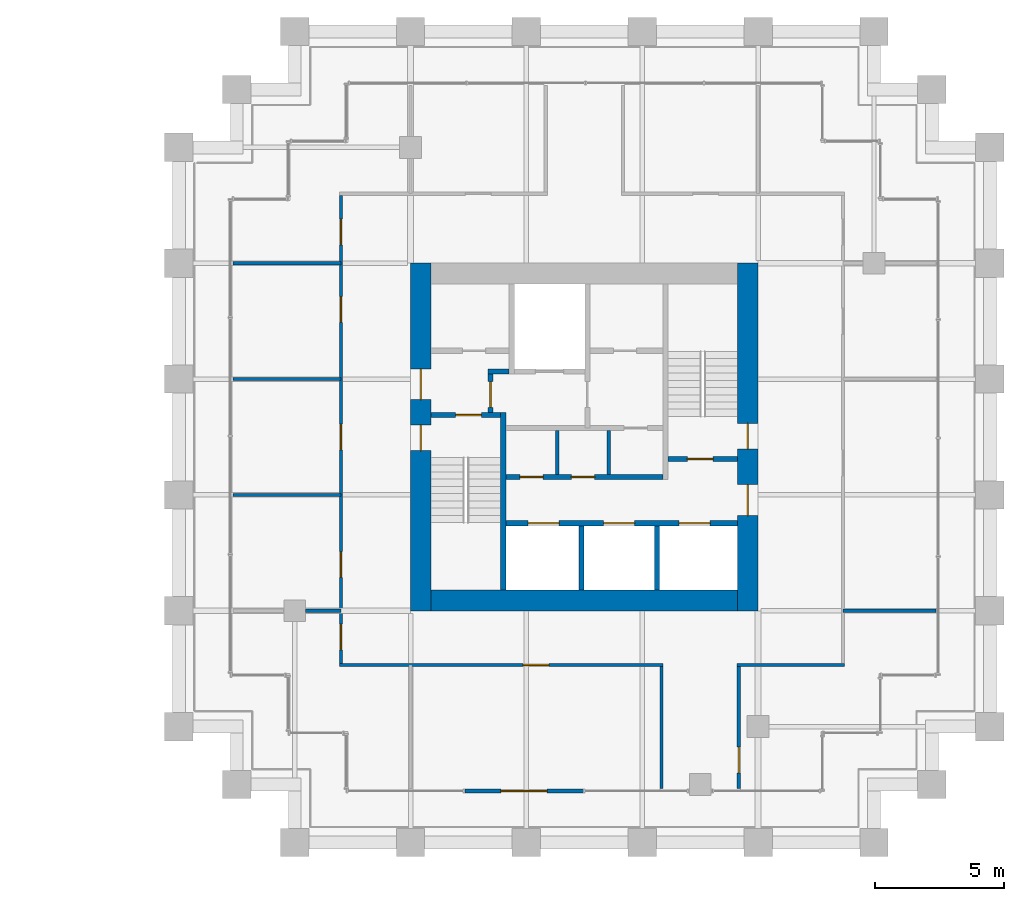
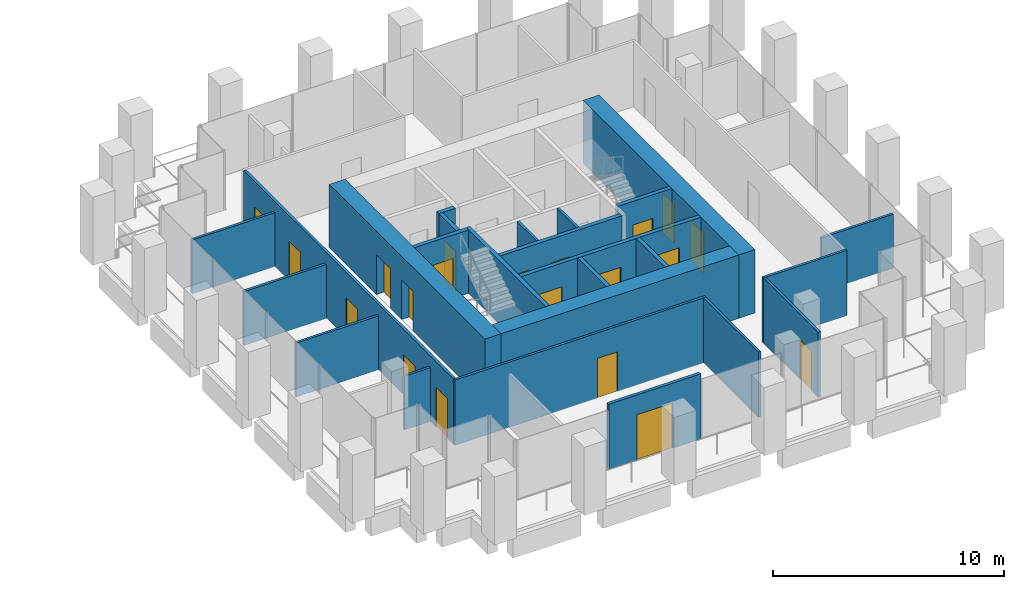
# One storey, part 52 of 56: 25 walls, 20 doors, 20 openings.
"""IFC4 building model written with IfcOpenShell, lengths in metres."""

from ifc_helpers import new_model, si_unit, direction, frame, frame_2d, origin, place, context, subcontext, project, spatial, rectangle, extrude, material, layer, layer_set, type_object, element, fill, save


model = new_model("IFC4")

# Units and contexts
model_context = context("Model", 3, precision=1e-05, world=origin(), true_north=direction((0.0, 1.0)))
body_context = subcontext(model_context, "Body", "Model", "MODEL_VIEW")
ifc_project = project(units=[si_unit("LENGTHUNIT", "METRE"), si_unit("AREAUNIT", "SQUARE_METRE"), si_unit("VOLUMEUNIT", "CUBIC_METRE"), si_unit("PLANEANGLEUNIT", "RADIAN"), si_unit("MASSUNIT", "GRAM", prefix="KILO")], contexts=[model_context])

# Site, building, storey
site_placement = place(None, origin())
site = spatial("IfcSite", under=ifc_project, at=site_placement, CompositionType="ELEMENT")
building_placement = place(site_placement, origin())
building = spatial("IfcBuilding", under=site, at=building_placement, Name="Altepetl Exchange Towers", CompositionType="ELEMENT")
storey_placement = place(building_placement, frame((0.0, 0.0, 54.60009765625)))
storey = spatial("IfcBuildingStorey", under=building, at=storey_placement, Name="L12", CompositionType="ELEMENT", Elevation=54.60009765625)

# Wall, openings, doors
ifc_material_1 = material(Name="Concrete C70/85", Category="concrete")
ifc_layer_1 = layer(ifc_material_1, 0.800048828125)
ifc_layer_set_1 = layer_set([ifc_layer_1], Name="Concrete C70/85")
wall_type_1 = type_object("IfcWallType", Name="Core wall 800 reinforced concrete", PredefinedType="SHEAR", material=ifc_layer_set_1)
wall_1_placement = place(storey_placement, frame((116.60009765625, 36.0, 0.0), z_axis=(0.0, 0.0, 1.0), x_axis=(0.0, 1.0, 0.0)))
wall_1 = element("IfcWall", 1, at=wall_1_placement, inside=storey, type_object=wall_type_1, Name="wall:B:L12:K-coreE", PredefinedType="SHEAR", context=body_context, shape_type="SweptSolid", body=[
    extrude(rectangle(XDim=13.5, YDim=0.800048828125, at=frame_2d((6.75, 0.0))), origin(), (0.0, 0.0, 1.0), 3.349853515625),
])
opening_1_placement = place(wall_1_placement, frame((3.699951171875, 0.0, 0.0)))
opening_1 = element("IfcOpeningElement", 2, at=opening_1_placement, cuts=wall_1, Name="Opening L12.B61", PredefinedType="OPENING", context=body_context, shape_type="SweptSolid", body=[
    extrude(rectangle(XDim=1.199951171875, YDim=2.10009765625, at=frame_2d((0.60009765625, 1.050048828125))), frame((0.0, 0.41015625, 0.0), z_axis=(0.0, -1.0, 0.0), x_axis=(1.0, 0.0, 0.0)), (0.0, 0.0, 1.0), 0.820068359375),
])
opening_2_placement = place(wall_1_placement, frame((6.27490234375, 0.0, 0.0)))
opening_2 = element("IfcOpeningElement", 3, at=opening_2_placement, cuts=wall_1, Name="Opening L12.B65", PredefinedType="OPENING", context=body_context, shape_type="SweptSolid", body=[
    extrude(rectangle(XDim=1.0, YDim=2.10009765625, at=frame_2d((0.5, 1.050048828125))), frame((0.0, 0.41015625, 0.0), z_axis=(0.0, -1.0, 0.0), x_axis=(1.0, 0.0, 0.0)), (0.0, 0.0, 1.0), 0.820068359375),
])
ifc_material_2 = material(Name="Steel and timber fire door", Category="steel")
door_type_1 = type_object("IfcDoorType", Name="Fire door 1000 x 2100 stair and lobby", OperationType="SINGLE_SWING_LEFT", PredefinedType="DOOR", material=ifc_material_2)
door_1_placement = place(opening_2_placement, origin())
door_1 = element("IfcDoor", 4, at=door_1_placement, inside=storey, type_object=door_type_1, Name="door:B:L12:K-dS2x", OperationType="SINGLE_SWING_LEFT", OverallHeight=2.10009765625, OverallWidth=1.0, PredefinedType="DOOR", context=body_context, shape_type="SweptSolid", body=[
    extrude(rectangle(XDim=1.0, YDim=2.10009765625, at=frame_2d((0.5, 1.050048828125))), frame((0.0, 0.02490234375, 0.0), z_axis=(0.0, -1.0, 0.0), x_axis=(1.0, 0.0, 0.0)), (0.0, 0.0, 1.0), 0.050048828125),
])
fill(opening_2, door_1)
door_type_2 = type_object("IfcDoorType", Name="Fire door 1200 x 2100 lobby entry", OperationType="SINGLE_SWING_LEFT", PredefinedType="DOOR", material=ifc_material_2)
door_2_placement = place(opening_1_placement, origin())
door_2 = element("IfcDoor", 5, at=door_2_placement, inside=storey, type_object=door_type_2, Name="door:B:L12:K-dLSE", OperationType="SINGLE_SWING_RIGHT", OverallHeight=2.10009765625, OverallWidth=1.199951171875, PredefinedType="DOOR", context=body_context, shape_type="SweptSolid", body=[
    extrude(rectangle(XDim=1.199951171875, YDim=2.10009765625, at=frame_2d((0.60009765625, 1.050048828125))), frame((0.0, 0.02490234375, 0.0), z_axis=(0.0, -1.0, 0.0), x_axis=(1.0, 0.0, 0.0)), (0.0, 0.0, 1.0), 0.050048828125),
])
fill(opening_1, door_2)

# Wall
wall_2_placement = place(storey_placement, frame((104.300048828125, 36.39990234375, 0.0)))
element("IfcWall", 6, at=wall_2_placement, inside=storey, type_object=wall_type_1, Name="wall:B:L12:K-coreS", PredefinedType="SHEAR", context=body_context, shape_type="SweptSolid", body=[
    extrude(rectangle(XDim=11.89990234375, YDim=0.800048828125, at=frame_2d((5.949951171875, 0.0))), origin(), (0.0, 0.0, 1.0), 3.349853515625),
])

# Wall, openings, doors
wall_3_placement = place(storey_placement, frame((103.89990234375, 36.0, 0.0), z_axis=(0.0, 0.0, 1.0), x_axis=(0.0, 1.0, 0.0)))
wall_3 = element("IfcWall", 7, at=wall_3_placement, inside=storey, type_object=wall_type_1, Name="wall:B:L12:K-coreW", PredefinedType="SHEAR", context=body_context, shape_type="SweptSolid", body=[
    extrude(rectangle(XDim=13.5, YDim=0.800048828125, at=frame_2d((6.75, 0.0))), origin(), (0.0, 0.0, 1.0), 3.349853515625),
])
opening_3_placement = place(wall_3_placement, frame((8.199951171875, 0.0, 0.0)))
opening_3 = element("IfcOpeningElement", 8, at=opening_3_placement, cuts=wall_3, Name="Opening L12.B60", PredefinedType="OPENING", context=body_context, shape_type="SweptSolid", body=[
    extrude(rectangle(XDim=1.199951171875, YDim=2.10009765625, at=frame_2d((0.60009765625, 1.050048828125))), frame((0.0, 0.41015625, 0.0), z_axis=(0.0, -1.0, 0.0), x_axis=(1.0, 0.0, 0.0)), (0.0, 0.0, 1.0), 0.820068359375),
])
opening_4_placement = place(wall_3_placement, frame((6.22509765625, 0.0, 0.0)))
opening_4 = element("IfcOpeningElement", 9, at=opening_4_placement, cuts=wall_3, Name="Opening L12.B63", PredefinedType="OPENING", context=body_context, shape_type="SweptSolid", body=[
    extrude(rectangle(XDim=1.0, YDim=2.10009765625, at=frame_2d((0.5, 1.050048828125))), frame((0.0, 0.41015625, 0.0), z_axis=(0.0, -1.0, 0.0), x_axis=(1.0, 0.0, 0.0)), (0.0, 0.0, 1.0), 0.820068359375),
])
door_3_placement = place(opening_4_placement, frame((1.0, 0.0, 0.0), x_axis=(-1.0, 0.0, 0.0)))
door_3 = element("IfcDoor", 10, at=door_3_placement, inside=storey, type_object=door_type_1, Name="door:B:L12:K-dS1x", OperationType="SINGLE_SWING_RIGHT", OverallHeight=2.10009765625, OverallWidth=1.0, PredefinedType="DOOR", context=body_context, shape_type="SweptSolid", body=[
    extrude(rectangle(XDim=1.0, YDim=2.10009765625, at=frame_2d((0.5, 1.050048828125))), frame((0.0, 0.02490234375, 0.0), z_axis=(0.0, -1.0, 0.0), x_axis=(1.0, 0.0, 0.0)), (0.0, 0.0, 1.0), 0.050048828125),
])
fill(opening_4, door_3)
door_4_placement = place(opening_3_placement, frame((1.199951171875, 0.0, 0.0), x_axis=(-1.0, 0.0, 0.0)))
door_4 = element("IfcDoor", 11, at=door_4_placement, inside=storey, type_object=door_type_2, Name="door:B:L12:K-dLNW", OperationType="SINGLE_SWING_RIGHT", OverallHeight=2.10009765625, OverallWidth=1.199951171875, PredefinedType="DOOR", context=body_context, shape_type="SweptSolid", body=[
    extrude(rectangle(XDim=1.199951171875, YDim=2.10009765625, at=frame_2d((0.60009765625, 1.050048828125))), frame((0.0, 0.02490234375, 0.0), z_axis=(0.0, -1.0, 0.0), x_axis=(1.0, 0.0, 0.0)), (0.0, 0.0, 1.0), 0.050048828125),
])
fill(opening_3, door_4)

# Wall, opening, door
ifc_material_3 = material(Name="Aluminium composite cladding", Category="aluminium")
ifc_layer_2 = layer(ifc_material_3, 0.14990234375)
ifc_layer_set_2 = layer_set([ifc_layer_2], Name="Aluminium composite cladding")
wall_type_2 = type_object("IfcWallType", Name="Infill wall 150 aluminium panel", PredefinedType="SOLIDWALL", material=ifc_layer_set_2)
wall_4_placement = place(storey_placement, frame((105.606201171875, 29.0, 0.0)))
wall_4 = element("IfcWall", 12, at=wall_4_placement, inside=storey, type_object=wall_type_2, Name="Loggia door bay wall", PredefinedType="SOLIDWALL", context=body_context, shape_type="SweptSolid", body=[
    extrude(rectangle(XDim=4.606201171875, YDim=0.14990234375, at=frame_2d((2.30322265625, 0.0))), origin(), (0.0, 0.0, 1.0), 3.449951171875),
])
opening_5_placement = place(wall_4_placement, frame((1.403076171875, 0.0, 0.0)))
opening_5 = element("IfcOpeningElement", 13, at=opening_5_placement, cuts=wall_4, Name="Opening L12.B90", PredefinedType="OPENING", context=body_context, shape_type="SweptSolid", body=[
    extrude(rectangle(XDim=1.800048828125, YDim=2.39990234375, at=frame_2d((0.89990234375, 1.199951171875))), frame((0.0, 0.0849609375, 0.0), z_axis=(0.0, -1.0, 0.0), x_axis=(1.0, 0.0, 0.0)), (0.0, 0.0, 1.0), 0.169921875),
])
ifc_material_4 = material(Name="Aluminium 6063-T6 and glass", Category="aluminium")
door_type_3 = type_object("IfcDoorType", Name="Glazed door pair 1800x2400", OperationType="DOUBLE_DOOR_DOUBLE_SWING", PredefinedType="NOTDEFINED", material=ifc_material_4)
door_5_placement = place(opening_5_placement, frame((1.800048828125, 0.0, 0.0), x_axis=(-1.0, 0.0, 0.0)))
door_5 = element("IfcDoor", 14, at=door_5_placement, inside=storey, type_object=door_type_3, Name="Loggia door", OperationType="DOUBLE_DOOR_DOUBLE_SWING", OverallHeight=2.39990234375, OverallWidth=1.800048828125, PredefinedType="NOTDEFINED", context=body_context, shape_type="SweptSolid", body=[
    extrude(rectangle(XDim=1.800048828125, YDim=2.39990234375, at=frame_2d((0.89990234375, 1.199951171875))), frame((0.0, 0.02490234375, 0.0), z_axis=(0.0, -1.0, 0.0), x_axis=(1.0, 0.0, 0.0)), (0.0, 0.0, 1.0), 0.050048828125),
])
fill(opening_5, door_5)

# Wall
ifc_material_5 = material(Name="Concrete blockwork", Category="masonry")
ifc_layer_3 = layer(ifc_material_5, 0.199951171875)
ifc_layer_set_3 = layer_set([ifc_layer_3], Name="Concrete blockwork")
wall_type_3 = type_object("IfcWallType", Name="Lobby wall 200 blockwork", PredefinedType="PARTITIONING", material=ifc_layer_set_3)
wall_5_placement = place(storey_placement, frame((106.5, 45.300048828125, 0.0)))
element("IfcWall", 15, at=wall_5_placement, inside=storey, type_object=wall_type_3, Name="wall:B:L12:K-ffNw", PredefinedType="PARTITIONING", context=body_context, shape_type="SweptSolid", body=[
    extrude(rectangle(XDim=0.833251953125, YDim=0.199951171875, at=frame_2d((0.41650390625, 0.0))), origin(), (0.0, 0.0, 1.0), 3.349853515625),
])

# Wall, opening, door
wall_6_placement = place(storey_placement, frame((106.60009765625, 43.699951171875, 0.0), z_axis=(0.0, 0.0, 1.0), x_axis=(0.0, 1.0, 0.0)))
wall_6 = element("IfcWall", 16, at=wall_6_placement, inside=storey, type_object=wall_type_3, Name="wall:B:L12:K-ffW", PredefinedType="PARTITIONING", context=body_context, shape_type="SweptSolid", body=[
    extrude(rectangle(XDim=1.5, YDim=0.199951171875, at=frame_2d((0.75, 0.0))), origin(), (0.0, 0.0, 1.0), 3.349853515625),
])
opening_6_placement = place(wall_6_placement, frame((0.199951171875, 0.0, 0.0)))
opening_6 = element("IfcOpeningElement", 17, at=opening_6_placement, cuts=wall_6, Name="Opening L12.B67", PredefinedType="OPENING", context=body_context, shape_type="SweptSolid", body=[
    extrude(rectangle(XDim=1.0, YDim=2.10009765625, at=frame_2d((0.5, 1.050048828125))), frame((0.0, 0.10986328125, 0.0), z_axis=(0.0, -1.0, 0.0), x_axis=(1.0, 0.0, 0.0)), (0.0, 0.0, 1.0), 0.219970703125),
])
door_6_placement = place(opening_6_placement, frame((1.0, 0.0, 0.0), x_axis=(-1.0, 0.0, 0.0)))
door_6 = element("IfcDoor", 18, at=door_6_placement, inside=storey, type_object=door_type_1, Name="door:B:L12:K-dffW", OperationType="SINGLE_SWING_LEFT", OverallHeight=2.10009765625, OverallWidth=1.0, PredefinedType="DOOR", context=body_context, shape_type="SweptSolid", body=[
    extrude(rectangle(XDim=1.0, YDim=2.10009765625, at=frame_2d((0.5, 1.050048828125))), frame((0.0, 0.02490234375, 0.0), z_axis=(0.0, -1.0, 0.0), x_axis=(1.0, 0.0, 0.0)), (0.0, 0.0, 1.0), 0.050048828125),
])
fill(opening_6, door_6)

# Wall, openings, doors
wall_7_placement = place(storey_placement, frame((107.199951171875, 41.199951171875, 0.0)))
wall_7 = element("IfcWall", 19, at=wall_7_placement, inside=storey, type_object=wall_type_3, Name="wall:B:L12:K-zoneS", PredefinedType="PARTITIONING", context=body_context, shape_type="SweptSolid", body=[
    extrude(rectangle(XDim=6.10009765625, YDim=0.199951171875, at=frame_2d((3.050048828125, 0.0))), origin(), (0.0, 0.0, 1.0), 3.349853515625),
])
opening_7_placement = place(wall_7_placement, frame((0.550048828125, 0.0, 0.0)))
opening_7 = element("IfcOpeningElement", 20, at=opening_7_placement, cuts=wall_7, Name="Opening L12.B70", PredefinedType="OPENING", context=body_context, shape_type="SweptSolid", body=[
    extrude(rectangle(XDim=0.89990234375, YDim=2.10009765625, at=frame_2d((0.449951171875, 1.050048828125))), frame((0.0, 0.10986328125, 0.0), z_axis=(0.0, -1.0, 0.0), x_axis=(1.0, 0.0, 0.0)), (0.0, 0.0, 1.0), 0.219970703125),
])
opening_8_placement = place(wall_7_placement, frame((2.550048828125, 0.0, 0.0)))
opening_8 = element("IfcOpeningElement", 21, at=opening_8_placement, cuts=wall_7, Name="Opening L12.B71", PredefinedType="OPENING", context=body_context, shape_type="SweptSolid", body=[
    extrude(rectangle(XDim=0.89990234375, YDim=2.10009765625, at=frame_2d((0.449951171875, 1.050048828125))), frame((0.0, 0.10986328125, 0.0), z_axis=(0.0, -1.0, 0.0), x_axis=(1.0, 0.0, 0.0)), (0.0, 0.0, 1.0), 0.219970703125),
])
door_type_4 = type_object("IfcDoorType", Name="Fire door 900 x 2100 service room", OperationType="SINGLE_SWING_LEFT", PredefinedType="DOOR", material=ifc_material_2)
door_7_placement = place(opening_7_placement, origin())
door_7 = element("IfcDoor", 22, at=door_7_placement, inside=storey, type_object=door_type_4, Name="door:B:L12:K-dz1", OperationType="SINGLE_SWING_RIGHT", OverallHeight=2.10009765625, OverallWidth=0.89990234375, PredefinedType="DOOR", context=body_context, shape_type="SweptSolid", body=[
    extrude(rectangle(XDim=0.89990234375, YDim=2.10009765625, at=frame_2d((0.449951171875, 1.050048828125))), frame((0.0, 0.02490234375, 0.0), z_axis=(0.0, -1.0, 0.0), x_axis=(1.0, 0.0, 0.0)), (0.0, 0.0, 1.0), 0.050048828125),
])
fill(opening_7, door_7)
door_8_placement = place(opening_8_placement, origin())
door_8 = element("IfcDoor", 23, at=door_8_placement, inside=storey, type_object=door_type_4, Name="door:B:L12:K-dz2", OperationType="SINGLE_SWING_LEFT", OverallHeight=2.10009765625, OverallWidth=0.89990234375, PredefinedType="DOOR", context=body_context, shape_type="SweptSolid", body=[
    extrude(rectangle(XDim=0.89990234375, YDim=2.10009765625, at=frame_2d((0.449951171875, 1.050048828125))), frame((0.0, 0.02490234375, 0.0), z_axis=(0.0, -1.0, 0.0), x_axis=(1.0, 0.0, 0.0)), (0.0, 0.0, 1.0), 0.050048828125),
])
fill(opening_8, door_8)

# Walls
ifc_material_6 = material(Name="Timber panels on aluminium track", Category="wood")
ifc_layer_4 = layer(ifc_material_6, 0.125)
ifc_layer_set_4 = layer_set([ifc_layer_4], Name="Timber panels on aluminium track")
wall_type_4 = type_object("IfcWallType", Name="Operable acoustic partition 125", PredefinedType="MOVABLE", material=ifc_layer_set_4)
for number, where, name in (
    (24, (96.60009765625, 40.5, 0.0), "wall:B:L12:P06"),
    (25, (96.60009765625, 45.0, 0.0), "wall:B:L12:P07"),
):
    element("IfcWall", number, at=place(storey_placement, frame(where)), inside=storey, type_object=wall_type_4, Name=name, PredefinedType="MOVABLE", context=body_context, shape_type="SweptSolid", body=[
        extrude(rectangle(XDim=4.199951171875, YDim=0.125, at=frame_2d((2.10009765625, 0.0))), origin(), (0.0, 0.0, 1.0), 2.850830078125),
    ])
ifc_material_7 = material(Name="Gypsum board on steel studs", Category="steel")
ifc_layer_5 = layer(ifc_material_7, 0.125)
ifc_layer_set_5 = layer_set([ifc_layer_5], Name="Gypsum board on steel studs")
wall_type_5 = type_object("IfcWallType", Name="Partition 125 gypsum board on steel studs", PredefinedType="PARTITIONING", material=ifc_layer_set_5)
for number, where, z_axis, x_axis, name in (
    (26, (109.199951171875, 41.300048828125, 0.0), (0.0, 0.0, 1.0), (0.0, 1.0, 0.0), "wall:B:L12:K-zp1"),
    (27, (111.199951171875, 41.300048828125, 0.0), (0.0, 0.0, 1.0), (0.0, 1.0, 0.0), "wall:B:L12:K-zp2"),
):
    element("IfcWall", number, at=place(storey_placement, frame(where, z_axis=z_axis, x_axis=x_axis)), inside=storey, type_object=wall_type_5, Name=name, PredefinedType="PARTITIONING", context=body_context, shape_type="SweptSolid", body=[
        extrude(rectangle(XDim=1.699951171875, YDim=0.125, at=frame_2d((0.85009765625, 0.0))), origin(), (0.0, 0.0, 1.0), 3.349853515625),
    ])

# Wall, opening, door
wall_8_placement = place(storey_placement, frame((100.737548828125, 33.89990234375, 0.0)))
wall_8 = element("IfcWall", 28, at=wall_8_placement, inside=storey, type_object=wall_type_5, Name="wall:B:L12:P01", PredefinedType="PARTITIONING", context=body_context, shape_type="SweptSolid", body=[
    extrude(rectangle(XDim=12.574951171875, YDim=0.125, at=frame_2d((6.28759765625, 0.0))), origin(), (0.0, 0.0, 1.0), 3.449951171875),
])
opening_9_placement = place(wall_8_placement, frame((7.137451171875, 0.0, 0.0)))
opening_9 = element("IfcOpeningElement", 29, at=opening_9_placement, cuts=wall_8, Name="Opening L12.B04", PredefinedType="OPENING", context=body_context, shape_type="SweptSolid", body=[
    extrude(rectangle(XDim=1.0, YDim=2.10009765625, at=frame_2d((0.5, 1.050048828125))), frame((0.0, 0.072509765625, 0.0), z_axis=(0.0, -1.0, 0.0), x_axis=(1.0, 0.0, 0.0)), (0.0, 0.0, 1.0), 0.14501953125),
])
door_type_5 = type_object("IfcDoorType", Name="Fire door 1000 x 2100 single leaf", OperationType="SINGLE_SWING_LEFT", PredefinedType="DOOR", material=ifc_material_2)
door_9_placement = place(opening_9_placement, frame((1.0, 0.0, 0.0), x_axis=(-1.0, 0.0, 0.0)))
door_9 = element("IfcDoor", 30, at=door_9_placement, inside=storey, type_object=door_type_5, Name="door:B:L12:04", OperationType="SINGLE_SWING_LEFT", OverallHeight=2.10009765625, OverallWidth=1.0, PredefinedType="DOOR", context=body_context, shape_type="SweptSolid", body=[
    extrude(rectangle(XDim=1.0, YDim=2.10009765625, at=frame_2d((0.5, 1.050048828125))), frame((0.0, 0.02490234375, 0.0), z_axis=(0.0, -1.0, 0.0), x_axis=(1.0, 0.0, 0.0)), (0.0, 0.0, 1.0), 0.050048828125),
])
fill(opening_9, door_9)

# Walls
wall_9_placement = place(storey_placement, frame((116.1875, 33.89990234375, 0.0)))
element("IfcWall", 31, at=wall_9_placement, inside=storey, type_object=wall_type_5, Name="wall:B:L12:P02", PredefinedType="PARTITIONING", context=body_context, shape_type="SweptSolid", body=[
    extrude(rectangle(XDim=4.175048828125, YDim=0.125, at=frame_2d((2.08740234375, 0.0))), origin(), (0.0, 0.0, 1.0), 3.449951171875),
])
wall_10_placement = place(storey_placement, frame((99.425048828125, 36.0, 0.0)))
element("IfcWall", 32, at=wall_10_placement, inside=storey, type_object=wall_type_5, Name="wall:B:L12:P04", PredefinedType="PARTITIONING", context=body_context, shape_type="SweptSolid", body=[
    extrude(rectangle(XDim=1.375, YDim=0.125, at=frame_2d((0.6875, 0.0))), origin(), (0.0, 0.0, 1.0), 2.841796875),
])
wall_11_placement = place(storey_placement, frame((120.300048828125, 36.0, 0.0)))
element("IfcWall", 33, at=wall_11_placement, inside=storey, type_object=wall_type_5, Name="wall:B:L12:P05", PredefinedType="PARTITIONING", context=body_context, shape_type="SweptSolid", body=[
    extrude(rectangle(XDim=3.599853515625, YDim=0.125, at=frame_2d((1.7998046875, 0.0))), origin(), (0.0, 0.0, 1.0), 2.850830078125),
])
wall_12_placement = place(storey_placement, frame((96.60009765625, 49.5, 0.0)))
element("IfcWall", 34, at=wall_12_placement, inside=storey, type_object=wall_type_5, Name="wall:B:L12:P09", PredefinedType="PARTITIONING", context=body_context, shape_type="SweptSolid", body=[
    extrude(rectangle(XDim=4.199951171875, YDim=0.125, at=frame_2d((2.10009765625, 0.0))), origin(), (0.0, 0.0, 1.0), 2.850830078125),
])

# Wall, openings, doors
wall_13_placement = place(storey_placement, frame((100.800048828125, 33.96240234375, 0.0), z_axis=(0.0, 0.0, 1.0), x_axis=(0.0, 1.0, 0.0)))
wall_13 = element("IfcWall", 35, at=wall_13_placement, inside=storey, type_object=wall_type_5, Name="wall:B:L12:P14", PredefinedType="PARTITIONING", context=body_context, shape_type="SweptSolid", body=[
    extrude(rectangle(XDim=18.175048828125, YDim=0.125, at=frame_2d((9.08740234375, 0.0))), origin(), (0.0, 0.0, 1.0), 3.449951171875),
])
opening_10_placement = place(wall_13_placement, frame((8.28759765625, 0.0, 0.0)))
opening_10 = element("IfcOpeningElement", 36, at=opening_10_placement, cuts=wall_13, Name="Opening L12.B01", PredefinedType="OPENING", context=body_context, shape_type="SweptSolid", body=[
    extrude(rectangle(XDim=1.0, YDim=2.10009765625, at=frame_2d((0.5, 1.050048828125))), frame((0.0, 0.072509765625, 0.0), z_axis=(0.0, -1.0, 0.0), x_axis=(1.0, 0.0, 0.0)), (0.0, 0.0, 1.0), 0.14501953125),
])
opening_11_placement = place(wall_13_placement, frame((3.33251953125, 0.0, 0.0)))
opening_11 = element("IfcOpeningElement", 37, at=opening_11_placement, cuts=wall_13, Name="Opening L12.B02", PredefinedType="OPENING", context=body_context, shape_type="SweptSolid", body=[
    extrude(rectangle(XDim=1.0, YDim=2.10009765625, at=frame_2d((0.5, 1.050048828125))), frame((0.0, 0.072509765625, 0.0), z_axis=(0.0, -1.0, 0.0), x_axis=(1.0, 0.0, 0.0)), (0.0, 0.0, 1.0), 0.14501953125),
])
opening_12_placement = place(wall_13_placement, frame((0.5224609375, 0.0, 0.0)))
opening_12 = element("IfcOpeningElement", 38, at=opening_12_placement, cuts=wall_13, Name="Opening L12.B03", PredefinedType="OPENING", context=body_context, shape_type="SweptSolid", body=[
    extrude(rectangle(XDim=1.0, YDim=2.10009765625, at=frame_2d((0.5, 1.050048828125))), frame((0.0, 0.072509765625, 0.0), z_axis=(0.0, -1.0, 0.0), x_axis=(1.0, 0.0, 0.0)), (0.0, 0.0, 1.0), 0.14501953125),
])
opening_13_placement = place(wall_13_placement, frame((16.24755859375, 0.0, 0.0)))
opening_13 = element("IfcOpeningElement", 39, at=opening_13_placement, cuts=wall_13, Name="Opening L12.B11", PredefinedType="OPENING", context=body_context, shape_type="SweptSolid", body=[
    extrude(rectangle(XDim=1.0, YDim=2.10009765625, at=frame_2d((0.5, 1.050048828125))), frame((0.0, 0.072509765625, 0.0), z_axis=(0.0, -1.0, 0.0), x_axis=(1.0, 0.0, 0.0)), (0.0, 0.0, 1.0), 0.14501953125),
])
opening_14_placement = place(wall_13_placement, frame((13.242431640625, 0.0, 0.0)))
opening_14 = element("IfcOpeningElement", 40, at=opening_14_placement, cuts=wall_13, Name="Opening L12.B12", PredefinedType="OPENING", context=body_context, shape_type="SweptSolid", body=[
    extrude(rectangle(XDim=1.0, YDim=2.10009765625, at=frame_2d((0.5, 1.050048828125))), frame((0.0, 0.072509765625, 0.0), z_axis=(0.0, -1.0, 0.0), x_axis=(1.0, 0.0, 0.0)), (0.0, 0.0, 1.0), 0.14501953125),
])
door_10_placement = place(opening_10_placement, origin())
door_10 = element("IfcDoor", 41, at=door_10_placement, inside=storey, type_object=door_type_5, Name="door:B:L12:01", OperationType="SINGLE_SWING_RIGHT", OverallHeight=2.10009765625, OverallWidth=1.0, PredefinedType="DOOR", context=body_context, shape_type="SweptSolid", body=[
    extrude(rectangle(XDim=1.0, YDim=2.10009765625, at=frame_2d((0.5, 1.050048828125))), frame((0.0, 0.02490234375, 0.0), z_axis=(0.0, -1.0, 0.0), x_axis=(1.0, 0.0, 0.0)), (0.0, 0.0, 1.0), 0.050048828125),
])
fill(opening_10, door_10)
door_11_placement = place(opening_11_placement, origin())
door_11 = element("IfcDoor", 42, at=door_11_placement, inside=storey, type_object=door_type_5, Name="door:B:L12:02", OperationType="SINGLE_SWING_LEFT", OverallHeight=2.10009765625, OverallWidth=1.0, PredefinedType="DOOR", context=body_context, shape_type="SweptSolid", body=[
    extrude(rectangle(XDim=1.0, YDim=2.10009765625, at=frame_2d((0.5, 1.050048828125))), frame((0.0, 0.02490234375, 0.0), z_axis=(0.0, -1.0, 0.0), x_axis=(1.0, 0.0, 0.0)), (0.0, 0.0, 1.0), 0.050048828125),
])
fill(opening_11, door_11)
door_12_placement = place(opening_12_placement, frame((1.0, 0.0, 0.0), x_axis=(-1.0, 0.0, 0.0)))
door_12 = element("IfcDoor", 43, at=door_12_placement, inside=storey, type_object=door_type_5, Name="door:B:L12:03", OperationType="SINGLE_SWING_RIGHT", OverallHeight=2.10009765625, OverallWidth=1.0, PredefinedType="DOOR", context=body_context, shape_type="SweptSolid", body=[
    extrude(rectangle(XDim=1.0, YDim=2.10009765625, at=frame_2d((0.5, 1.050048828125))), frame((0.0, 0.02490234375, 0.0), z_axis=(0.0, -1.0, 0.0), x_axis=(1.0, 0.0, 0.0)), (0.0, 0.0, 1.0), 0.050048828125),
])
fill(opening_12, door_12)
door_13_placement = place(opening_13_placement, frame((1.0, 0.0, 0.0), x_axis=(-1.0, 0.0, 0.0)))
door_13 = element("IfcDoor", 44, at=door_13_placement, inside=storey, type_object=door_type_5, Name="door:B:L12:11", OperationType="SINGLE_SWING_LEFT", OverallHeight=2.10009765625, OverallWidth=1.0, PredefinedType="DOOR", context=body_context, shape_type="SweptSolid", body=[
    extrude(rectangle(XDim=1.0, YDim=2.10009765625, at=frame_2d((0.5, 1.050048828125))), frame((0.0, 0.02490234375, 0.0), z_axis=(0.0, -1.0, 0.0), x_axis=(1.0, 0.0, 0.0)), (0.0, 0.0, 1.0), 0.050048828125),
])
fill(opening_13, door_13)
door_14_placement = place(opening_14_placement, origin())
door_14 = element("IfcDoor", 45, at=door_14_placement, inside=storey, type_object=door_type_5, Name="door:B:L12:12", OperationType="SINGLE_SWING_LEFT", OverallHeight=2.10009765625, OverallWidth=1.0, PredefinedType="DOOR", context=body_context, shape_type="SweptSolid", body=[
    extrude(rectangle(XDim=1.0, YDim=2.10009765625, at=frame_2d((0.5, 1.050048828125))), frame((0.0, 0.02490234375, 0.0), z_axis=(0.0, -1.0, 0.0), x_axis=(1.0, 0.0, 0.0)), (0.0, 0.0, 1.0), 0.050048828125),
])
fill(opening_14, door_14)

# Wall
wall_14_placement = place(storey_placement, frame((113.25, 29.10009765625, 0.0), z_axis=(0.0, 0.0, 1.0), x_axis=(0.0, 1.0, 0.0)))
element("IfcWall", 46, at=wall_14_placement, inside=storey, type_object=wall_type_5, Name="wall:B:L12:P20", PredefinedType="PARTITIONING", context=body_context, shape_type="SweptSolid", body=[
    extrude(rectangle(XDim=4.7373046875, YDim=0.125, at=frame_2d((2.36865234375, 0.0))), origin(), (0.0, 0.0, 1.0), 3.449951171875),
])

# Wall, opening, door
wall_15_placement = place(storey_placement, frame((116.25, 29.10009765625, 0.0), z_axis=(0.0, 0.0, 1.0), x_axis=(0.0, 1.0, 0.0)))
wall_15 = element("IfcWall", 47, at=wall_15_placement, inside=storey, type_object=wall_type_5, Name="wall:B:L12:P21", PredefinedType="PARTITIONING", context=body_context, shape_type="SweptSolid", body=[
    extrude(rectangle(XDim=4.7373046875, YDim=0.125, at=frame_2d((2.36865234375, 0.0))), origin(), (0.0, 0.0, 1.0), 3.449951171875),
])
opening_15_placement = place(wall_15_placement, frame((0.60009765625, 0.0, 0.0)))
opening_15 = element("IfcOpeningElement", 48, at=opening_15_placement, cuts=wall_15, Name="Opening L12.B05", PredefinedType="OPENING", context=body_context, shape_type="SweptSolid", body=[
    extrude(rectangle(XDim=1.0, YDim=2.10009765625, at=frame_2d((0.5, 1.050048828125))), frame((0.0, 0.072509765625, 0.0), z_axis=(0.0, -1.0, 0.0), x_axis=(1.0, 0.0, 0.0)), (0.0, 0.0, 1.0), 0.14501953125),
])
door_15_placement = place(opening_15_placement, frame((1.0, 0.0, 0.0), x_axis=(-1.0, 0.0, 0.0)))
door_15 = element("IfcDoor", 49, at=door_15_placement, inside=storey, type_object=door_type_5, Name="door:B:L12:05", OperationType="SINGLE_SWING_LEFT", OverallHeight=2.10009765625, OverallWidth=1.0, PredefinedType="DOOR", context=body_context, shape_type="SweptSolid", body=[
    extrude(rectangle(XDim=1.0, YDim=2.10009765625, at=frame_2d((0.5, 1.050048828125))), frame((0.0, 0.02490234375, 0.0), z_axis=(0.0, -1.0, 0.0), x_axis=(1.0, 0.0, 0.0)), (0.0, 0.0, 1.0), 0.050048828125),
])
fill(opening_15, door_15)

# Walls
ifc_material_8 = material(Name="Concrete C40/50", Category="concrete")
ifc_layer_6 = layer(ifc_material_8, 0.199951171875)
ifc_layer_set_6 = layer_set([ifc_layer_6], Name="Concrete C40/50")
wall_type_6 = type_object("IfcWallType", Name="Shaft wall 200 reinforced concrete", PredefinedType="SHEAR", material=ifc_layer_set_6)
for number, where, z_axis, x_axis, name in (
    (50, (110.13330078125, 36.800048828125, 0.0), (0.0, 0.0, 1.0), (0.0, 1.0, 0.0), "wall:B:L12:K-divS1"),
    (51, (113.066650390625, 36.800048828125, 0.0), (0.0, 0.0, 1.0), (0.0, 1.0, 0.0), "wall:B:L12:K-divS2"),
):
    element("IfcWall", number, at=place(storey_placement, frame(where, z_axis=z_axis, x_axis=x_axis)), inside=storey, type_object=wall_type_6, Name=name, PredefinedType="SHEAR", context=body_context, shape_type="SweptSolid", body=[
        extrude(rectangle(XDim=2.5, YDim=0.199951171875, at=frame_2d((1.25, 0.0))), origin(), (0.0, 0.0, 1.0), 3.349853515625),
    ])

# Wall, openings, doors
wall_16_placement = place(storey_placement, frame((107.199951171875, 39.39990234375, 0.0)))
wall_16 = element("IfcWall", 52, at=wall_16_placement, inside=storey, type_object=wall_type_6, Name="wall:B:L12:K-frontS", PredefinedType="SHEAR", context=body_context, shape_type="SweptSolid", body=[
    extrude(rectangle(XDim=9.0, YDim=0.199951171875, at=frame_2d((4.5, 0.0))), origin(), (0.0, 0.0, 1.0), 3.349853515625),
])
opening_16_placement = place(wall_16_placement, frame((0.86669921875, 0.0, 0.0)))
opening_16 = element("IfcOpeningElement", 53, at=opening_16_placement, cuts=wall_16, Name="Opening L12.B74", PredefinedType="OPENING", context=body_context, shape_type="SweptSolid", body=[
    extrude(rectangle(XDim=1.199951171875, YDim=2.10009765625, at=frame_2d((0.60009765625, 1.050048828125))), frame((0.0, 0.10986328125, 0.0), z_axis=(0.0, -1.0, 0.0), x_axis=(1.0, 0.0, 0.0)), (0.0, 0.0, 1.0), 0.219970703125),
])
opening_17_placement = place(wall_16_placement, frame((3.800048828125, 0.0, 0.0)))
opening_17 = element("IfcOpeningElement", 54, at=opening_17_placement, cuts=wall_16, Name="Opening L12.B75", PredefinedType="OPENING", context=body_context, shape_type="SweptSolid", body=[
    extrude(rectangle(XDim=1.199951171875, YDim=2.10009765625, at=frame_2d((0.60009765625, 1.050048828125))), frame((0.0, 0.10986328125, 0.0), z_axis=(0.0, -1.0, 0.0), x_axis=(1.0, 0.0, 0.0)), (0.0, 0.0, 1.0), 0.219970703125),
])
opening_18_placement = place(wall_16_placement, frame((6.7333984375, 0.0, 0.0)))
opening_18 = element("IfcOpeningElement", 55, at=opening_18_placement, cuts=wall_16, Name="Opening L12.B76", PredefinedType="OPENING", context=body_context, shape_type="SweptSolid", body=[
    extrude(rectangle(XDim=1.199951171875, YDim=2.10009765625, at=frame_2d((0.60009765625, 1.050048828125))), frame((0.0, 0.10986328125, 0.0), z_axis=(0.0, -1.0, 0.0), x_axis=(1.0, 0.0, 0.0)), (0.0, 0.0, 1.0), 0.219970703125),
])
ifc_material_9 = material(Name="Stainless steel", Category="steel")
door_type_6 = type_object("IfcDoorType", Name="Lift landing door 1200 x 2100", OperationType="SLIDING_TO_LEFT", PredefinedType="DOOR", material=ifc_material_9)
door_16_placement = place(opening_16_placement, origin())
door_16 = element("IfcDoor", 56, at=door_16_placement, inside=storey, type_object=door_type_6, Name="Landing door P1", OperationType="SLIDING_TO_LEFT", OverallHeight=2.10009765625, OverallWidth=1.199951171875, PredefinedType="DOOR", context=body_context, shape_type="SweptSolid", body=[
    extrude(rectangle(XDim=1.199951171875, YDim=2.10009765625, at=frame_2d((0.60009765625, 1.050048828125))), frame((0.0, 0.02490234375, 0.0), z_axis=(0.0, -1.0, 0.0), x_axis=(1.0, 0.0, 0.0)), (0.0, 0.0, 1.0), 0.050048828125),
])
fill(opening_16, door_16)
door_17_placement = place(opening_17_placement, origin())
door_17 = element("IfcDoor", 57, at=door_17_placement, inside=storey, type_object=door_type_6, Name="Landing door P2", OperationType="SLIDING_TO_LEFT", OverallHeight=2.10009765625, OverallWidth=1.199951171875, PredefinedType="DOOR", context=body_context, shape_type="SweptSolid", body=[
    extrude(rectangle(XDim=1.199951171875, YDim=2.10009765625, at=frame_2d((0.60009765625, 1.050048828125))), frame((0.0, 0.02490234375, 0.0), z_axis=(0.0, -1.0, 0.0), x_axis=(1.0, 0.0, 0.0)), (0.0, 0.0, 1.0), 0.050048828125),
])
fill(opening_17, door_17)
door_18_placement = place(opening_18_placement, origin())
door_18 = element("IfcDoor", 58, at=door_18_placement, inside=storey, type_object=door_type_6, Name="Landing door P3", OperationType="SLIDING_TO_LEFT", OverallHeight=2.10009765625, OverallWidth=1.199951171875, PredefinedType="DOOR", context=body_context, shape_type="SweptSolid", body=[
    extrude(rectangle(XDim=1.199951171875, YDim=2.10009765625, at=frame_2d((0.60009765625, 1.050048828125))), frame((0.0, 0.02490234375, 0.0), z_axis=(0.0, -1.0, 0.0), x_axis=(1.0, 0.0, 0.0)), (0.0, 0.0, 1.0), 0.050048828125),
])
fill(opening_18, door_18)

# Wall
ifc_layer_7 = layer(ifc_material_8, 0.199951171875)
ifc_layer_set_7 = layer_set([ifc_layer_7], Name="Concrete C40/50")
wall_type_7 = type_object("IfcWallType", Name="Stair wall 200 reinforced concrete", PredefinedType="SHEAR", material=ifc_layer_set_7)
wall_17_placement = place(storey_placement, frame((107.10009765625, 36.800048828125, 0.0), z_axis=(0.0, 0.0, 1.0), x_axis=(0.0, 1.0, 0.0)))
element("IfcWall", 59, at=wall_17_placement, inside=storey, type_object=wall_type_7, Name="wall:B:L12:K-stS1E", PredefinedType="SHEAR", context=body_context, shape_type="SweptSolid", body=[
    extrude(rectangle(XDim=6.89990234375, YDim=0.199951171875, at=frame_2d((3.449951171875, 0.0))), origin(), (0.0, 0.0, 1.0), 3.349853515625),
])

# Wall, opening, door
wall_18_placement = place(storey_placement, frame((104.300048828125, 43.60009765625, 0.0)))
wall_18 = element("IfcWall", 60, at=wall_18_placement, inside=storey, type_object=wall_type_7, Name="wall:B:L12:K-stS1N", PredefinedType="SHEAR", context=body_context, shape_type="SweptSolid", body=[
    extrude(rectangle(XDim=2.699951171875, YDim=0.199951171875, at=frame_2d((1.35009765625, 0.0))), origin(), (0.0, 0.0, 1.0), 3.349853515625),
])
opening_19_placement = place(wall_18_placement, frame((0.949951171875, 0.0, 0.0)))
opening_19 = element("IfcOpeningElement", 61, at=opening_19_placement, cuts=wall_18, Name="Opening L12.B62", PredefinedType="OPENING", context=body_context, shape_type="SweptSolid", body=[
    extrude(rectangle(XDim=1.0, YDim=2.10009765625, at=frame_2d((0.5, 1.050048828125))), frame((0.0, 0.10986328125, 0.0), z_axis=(0.0, -1.0, 0.0), x_axis=(1.0, 0.0, 0.0)), (0.0, 0.0, 1.0), 0.219970703125),
])
door_19_placement = place(opening_19_placement, frame((1.0, 0.0, 0.0), x_axis=(-1.0, 0.0, 0.0)))
door_19 = element("IfcDoor", 62, at=door_19_placement, inside=storey, type_object=door_type_1, Name="door:B:L12:K-dS1in", OperationType="SINGLE_SWING_LEFT", OverallHeight=2.10009765625, OverallWidth=1.0, PredefinedType="DOOR", context=body_context, shape_type="SweptSolid", body=[
    extrude(rectangle(XDim=1.0, YDim=2.10009765625, at=frame_2d((0.5, 1.050048828125))), frame((0.0, 0.02490234375, 0.0), z_axis=(0.0, -1.0, 0.0), x_axis=(1.0, 0.0, 0.0)), (0.0, 0.0, 1.0), 0.050048828125),
])
fill(opening_19, door_19)

wall_19_placement = place(storey_placement, frame((113.5, 41.89990234375, 0.0)))
wall_19 = element("IfcWall", 63, at=wall_19_placement, inside=storey, type_object=wall_type_7, Name="wall:B:L12:K-stS2S", PredefinedType="SHEAR", context=body_context, shape_type="SweptSolid", body=[
    extrude(rectangle(XDim=2.699951171875, YDim=0.199951171875, at=frame_2d((1.35009765625, 0.0))), origin(), (0.0, 0.0, 1.0), 3.349853515625),
])
opening_20_placement = place(wall_19_placement, frame((0.75, 0.0, 0.0)))
opening_20 = element("IfcOpeningElement", 64, at=opening_20_placement, cuts=wall_19, Name="Opening L12.B64", PredefinedType="OPENING", context=body_context, shape_type="SweptSolid", body=[
    extrude(rectangle(XDim=1.0, YDim=2.10009765625, at=frame_2d((0.5, 1.050048828125))), frame((0.0, 0.10986328125, 0.0), z_axis=(0.0, -1.0, 0.0), x_axis=(1.0, 0.0, 0.0)), (0.0, 0.0, 1.0), 0.219970703125),
])
door_20_placement = place(opening_20_placement, origin())
door_20 = element("IfcDoor", 65, at=door_20_placement, inside=storey, type_object=door_type_1, Name="door:B:L12:K-dS2in", OperationType="SINGLE_SWING_RIGHT", OverallHeight=2.10009765625, OverallWidth=1.0, PredefinedType="DOOR", context=body_context, shape_type="SweptSolid", body=[
    extrude(rectangle(XDim=1.0, YDim=2.10009765625, at=frame_2d((0.5, 1.050048828125))), frame((0.0, 0.02490234375, 0.0), z_axis=(0.0, -1.0, 0.0), x_axis=(1.0, 0.0, 0.0)), (0.0, 0.0, 1.0), 0.050048828125),
])
fill(opening_20, door_20)

save(model, "model.ifc")
